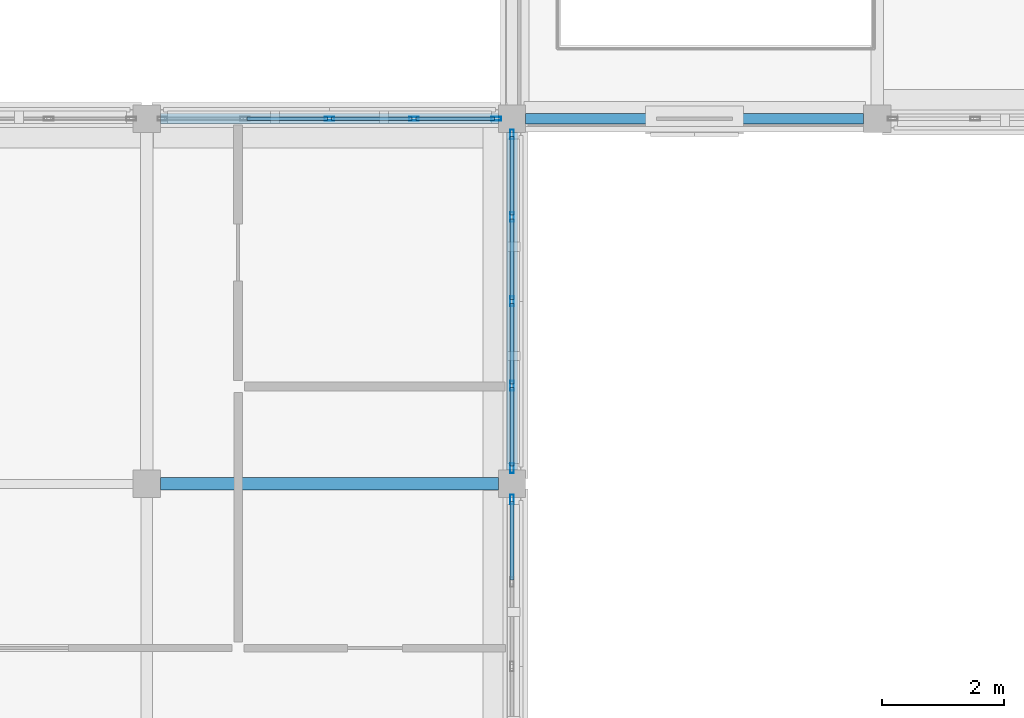
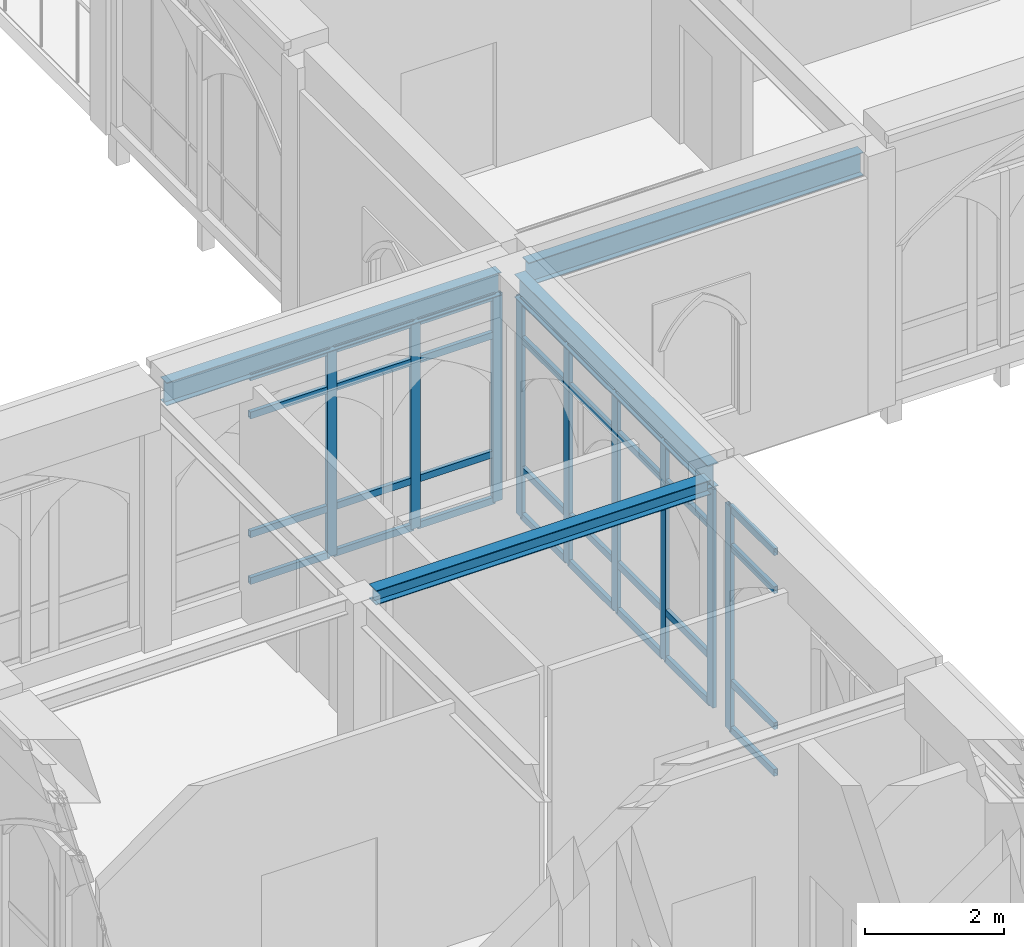
# One storey, part 9 of 59: 41 members, 4 beams, 3 elements without a shape of their own.
"""IFC4 building model written with IfcOpenShell, lengths in metres."""

from ifc_helpers import new_model, si_unit, direction, frame, origin, origin_2d, place, context, subcontext, project, spatial, hollow_rectangle, i_section, extrude, material, layer, layer_set, material_profile, profile_set, type_object, element, aggregate, save


model = new_model("IFC4")

# Units and contexts
model_context = context("Model", 3, precision=1e-05, world=origin(), true_north=direction((0.0, 1.0)))
body_context = subcontext(model_context, "Body", "Model", "MODEL_VIEW")
ifc_project = project(units=[si_unit("LENGTHUNIT", "METRE"), si_unit("AREAUNIT", "SQUARE_METRE"), si_unit("VOLUMEUNIT", "CUBIC_METRE"), si_unit("PLANEANGLEUNIT", "RADIAN"), si_unit("MASSUNIT", "GRAM", prefix="KILO")], contexts=[model_context])

# Site, building, storey
site_placement = place(None, origin())
site = spatial("IfcSite", under=ifc_project, at=site_placement, CompositionType="ELEMENT")
building_placement = place(site_placement, origin())
building = spatial("IfcBuilding", under=site, at=building_placement, Name="Cumevento Cable Car Station", CompositionType="ELEMENT")
storey_placement = place(building_placement, frame((0.0, 0.0, 18.0)))
storey = spatial("IfcBuildingStorey", under=building, at=storey_placement, Name="L05", CompositionType="ELEMENT", Elevation=18.0)

# Curtain wall, members
ifc_material_1 = material(Name="Anodised Bronze Aluminium AW-6063-T6", Category="aluminium")
ifc_layer_1 = layer(ifc_material_1, 0.196044921875)
ifc_layer_set_1 = layer_set([ifc_layer_1], Name="Anodised Bronze Aluminium AW-6063-T6")
curtain_wall_type_1 = type_object("IfcCurtainWallType", Name="Lancet Curtain Wall CW-07 1290", PredefinedType="NOTDEFINED", material=ifc_layer_set_1)
curtain_wall_1_placement = place(storey_placement, origin())
curtain_wall_1 = element("IfcCurtainWall", 1, at=curtain_wall_1_placement, inside=storey, type_object=curtain_wall_type_1, Name="Lancet Curtain Wall CW-07 L05 #198", PredefinedType="NOTDEFINED")
ifc_material_2 = material(Name="Anodised Bronze Aluminium AW-6063-T6", Category="aluminium")
ifc_material_profile_1 = material_profile(ifc_material_2, hollow_rectangle(XDim=0.06494140625, YDim=0.159912109375, WallThickness=0.00390625, at=origin_2d()), Name="ALUM65x160x4")
ifc_profile_set_1 = profile_set([ifc_material_profile_1], Name="Anodised Bronze Aluminium AW-6063-T6")
member_type_1 = type_object("IfcMemberType", Name="Curtain Mullion CWM-01 ALUM65x160x4", PredefinedType="MULLION", material=ifc_profile_set_1)
member_1_placement = place(storey_placement, frame((19.0, 45.0, 0.4599609375), z_axis=(0.0, 0.0, 1.0), x_axis=(0.0, 1.0, 0.0)))
member_1 = element("IfcMember", 2, at=member_1_placement, type_object=member_type_1, Name="CW-07 mullion 3", PredefinedType="MULLION", context=body_context, shape_type="SweptSolid", body=[
    extrude(hollow_rectangle(XDim=0.06494140625, YDim=0.159912109375, WallThickness=0.00390625, at=origin_2d()), origin(), (0.0, 0.0, 1.0), 3.633056640625),
])
member_2_placement = place(storey_placement, frame((20.387451171875, 45.0, 0.4599609375), z_axis=(0.0, 0.0, 1.0), x_axis=(0.0, 1.0, 0.0)))
member_2 = element("IfcMember", 3, at=member_2_placement, type_object=member_type_1, Name="CW-07 mullion 4", PredefinedType="MULLION", context=body_context, shape_type="SweptSolid", body=[
    extrude(hollow_rectangle(XDim=0.06494140625, YDim=0.159912109375, WallThickness=0.00390625, at=origin_2d()), origin(), (0.0, 0.0, 1.0), 3.633056640625),
])
member_3_placement = place(storey_placement, frame((21.742431640625, 45.0, 0.4599609375), z_axis=(0.0, 0.0, 1.0), x_axis=(0.0, 1.0, 0.0)))
member_3 = element("IfcMember", 4, at=member_3_placement, type_object=member_type_1, Name="CW-07 mullion 5", PredefinedType="MULLION", context=body_context, shape_type="SweptSolid", body=[
    extrude(hollow_rectangle(XDim=0.06494140625, YDim=0.159912109375, WallThickness=0.00390625, at=origin_2d()), origin(), (0.0, 0.0, 1.0), 3.633056640625),
])

# Curtain wall, member
ifc_material_3 = material(Name="Anodised Bronze Aluminium AW-6063-T6", Category="aluminium")
ifc_layer_2 = layer(ifc_material_3, 0.2080078125)
ifc_layer_set_2 = layer_set([ifc_layer_2], Name="Anodised Bronze Aluminium AW-6063-T6")
curtain_wall_type_2 = type_object("IfcCurtainWallType", Name="Lancet Curtain Wall CW-09 1370", PredefinedType="NOTDEFINED", material=ifc_layer_set_2)
curtain_wall_2_placement = place(storey_placement, origin())
curtain_wall_2 = element("IfcCurtainWall", 5, at=curtain_wall_2_placement, inside=storey, type_object=curtain_wall_type_2, Name="Lancet Curtain Wall CW-09 L05 #200", PredefinedType="NOTDEFINED")
member_4_placement = place(storey_placement, frame((22.0, 38.742431640625, 0.159912109375), z_axis=(0.0, 0.0, 1.0), x_axis=(1.0, 0.0, 0.0)))
member_4 = element("IfcMember", 6, at=member_4_placement, type_object=member_type_1, Name="CW-09 mullion 1", PredefinedType="MULLION", context=body_context, shape_type="SweptSolid", body=[
    extrude(hollow_rectangle(XDim=0.06494140625, YDim=0.159912109375, WallThickness=0.00390625, at=origin_2d()), origin(), (0.0, 0.0, 1.0), 3.93310546875),
])

# Curtain wall, members
ifc_material_4 = material(Name="Anodised Bronze Aluminium AW-6063-T6", Category="aluminium")
ifc_layer_3 = layer(ifc_material_4, 0.219970703125)
ifc_layer_set_3 = layer_set([ifc_layer_3], Name="Anodised Bronze Aluminium AW-6063-T6")
curtain_wall_type_3 = type_object("IfcCurtainWallType", Name="Lancet Curtain Wall CW-11 1450", PredefinedType="NOTDEFINED", material=ifc_layer_set_3)
curtain_wall_3_placement = place(storey_placement, origin())
curtain_wall_3 = element("IfcCurtainWall", 7, at=curtain_wall_3_placement, inside=storey, type_object=curtain_wall_type_3, Name="Lancet Curtain Wall CW-11 L05 #202", PredefinedType="NOTDEFINED")
member_5_placement = place(storey_placement, frame((22.0, 44.742431640625, 0.260009765625), z_axis=(0.0, 0.0, 1.0), x_axis=(1.0, 0.0, 0.0)))
member_5 = element("IfcMember", 8, at=member_5_placement, type_object=member_type_1, Name="CW-11 mullion 1", PredefinedType="MULLION", context=body_context, shape_type="SweptSolid", body=[
    extrude(hollow_rectangle(XDim=0.06494140625, YDim=0.159912109375, WallThickness=0.00390625, at=origin_2d()), origin(), (0.0, 0.0, 1.0), 3.8330078125),
])
member_6_placement = place(storey_placement, frame((22.0, 43.387451171875, 0.260009765625), z_axis=(0.0, 0.0, 1.0), x_axis=(1.0, 0.0, 0.0)))
member_6 = element("IfcMember", 9, at=member_6_placement, type_object=member_type_1, Name="CW-11 mullion 2", PredefinedType="MULLION", context=body_context, shape_type="SweptSolid", body=[
    extrude(hollow_rectangle(XDim=0.06494140625, YDim=0.159912109375, WallThickness=0.00390625, at=origin_2d()), origin(), (0.0, 0.0, 1.0), 3.8330078125),
])
member_7_placement = place(storey_placement, frame((22.0, 42.0, 0.260009765625), z_axis=(0.0, 0.0, 1.0), x_axis=(1.0, 0.0, 0.0)))
member_7 = element("IfcMember", 10, at=member_7_placement, type_object=member_type_1, Name="CW-11 mullion 3", PredefinedType="MULLION", context=body_context, shape_type="SweptSolid", body=[
    extrude(hollow_rectangle(XDim=0.06494140625, YDim=0.159912109375, WallThickness=0.00390625, at=origin_2d()), origin(), (0.0, 0.0, 1.0), 3.8330078125),
])
member_8_placement = place(storey_placement, frame((22.0, 40.612548828125, 0.260009765625), z_axis=(0.0, 0.0, 1.0), x_axis=(1.0, 0.0, 0.0)))
member_8 = element("IfcMember", 11, at=member_8_placement, type_object=member_type_1, Name="CW-11 mullion 4", PredefinedType="MULLION", context=body_context, shape_type="SweptSolid", body=[
    extrude(hollow_rectangle(XDim=0.06494140625, YDim=0.159912109375, WallThickness=0.00390625, at=origin_2d()), origin(), (0.0, 0.0, 1.0), 3.8330078125),
])
member_9_placement = place(storey_placement, frame((22.0, 39.257568359375, 0.260009765625), z_axis=(0.0, 0.0, 1.0), x_axis=(1.0, 0.0, 0.0)))
member_9 = element("IfcMember", 12, at=member_9_placement, type_object=member_type_1, Name="CW-11 mullion 5", PredefinedType="MULLION", context=body_context, shape_type="SweptSolid", body=[
    extrude(hollow_rectangle(XDim=0.06494140625, YDim=0.159912109375, WallThickness=0.00390625, at=origin_2d()), origin(), (0.0, 0.0, 1.0), 3.8330078125),
])

# Member
ifc_material_5 = material(Name="Anodised Bronze Aluminium AW-6063-T6", Category="aluminium")
ifc_material_profile_2 = material_profile(ifc_material_5, hollow_rectangle(XDim=0.06494140625, YDim=0.1201171875, WallThickness=0.00390625, at=origin_2d()), Name="ALUT65x120x4")
ifc_profile_set_2 = profile_set([ifc_material_profile_2], Name="Anodised Bronze Aluminium AW-6063-T6")
member_type_2 = type_object("IfcMemberType", Name="Curtain Transom CWT-01 ALUT65x120x4", PredefinedType="USERDEFINED", material=ifc_profile_set_2)
member_10_placement = place(storey_placement, frame((17.64501953125, 45.0, 0.492431640625), z_axis=(1.0, 0.0, 0.0), x_axis=(0.0, 1.0, 0.0)))
member_10 = element("IfcMember", 13, at=member_10_placement, type_object=member_type_2, Name="CW-07 transom 2.1", ObjectType="TRANSOM", PredefinedType="USERDEFINED", context=body_context, shape_type="SweptSolid", body=[
    extrude(hollow_rectangle(XDim=0.06494140625, YDim=0.1201171875, WallThickness=0.00390625, at=origin_2d()), origin(), (0.0, 0.0, 1.0), 1.322509765625),
])

member_11_placement = place(storey_placement, frame((17.64501953125, 45.0, 1.31005859375), z_axis=(1.0, 0.0, 0.0), x_axis=(0.0, 1.0, 0.0)))
member_11 = element("IfcMember", 14, at=member_11_placement, type_object=member_type_2, Name="CW-07 transom 2.2", ObjectType="TRANSOM", PredefinedType="USERDEFINED", context=body_context, shape_type="SweptSolid", body=[
    extrude(hollow_rectangle(XDim=0.06494140625, YDim=0.1201171875, WallThickness=0.00390625, at=origin_2d()), origin(), (0.0, 0.0, 1.0), 1.322509765625),
])

member_12_placement = place(storey_placement, frame((17.64501953125, 45.0, 3.39306640625), z_axis=(1.0, 0.0, 0.0), x_axis=(0.0, 1.0, 0.0)))
member_12 = element("IfcMember", 15, at=member_12_placement, type_object=member_type_2, Name="CW-07 transom 2.3", ObjectType="TRANSOM", PredefinedType="USERDEFINED", context=body_context, shape_type="SweptSolid", body=[
    extrude(hollow_rectangle(XDim=0.06494140625, YDim=0.1201171875, WallThickness=0.00390625, at=origin_2d()), origin(), (0.0, 0.0, 1.0), 1.322509765625),
])

member_13_placement = place(storey_placement, frame((17.64501953125, 45.0, 4.060546875), z_axis=(1.0, 0.0, 0.0), x_axis=(0.0, 1.0, 0.0)))
member_13 = element("IfcMember", 16, at=member_13_placement, type_object=member_type_2, Name="CW-07 transom 2.4", ObjectType="TRANSOM", PredefinedType="USERDEFINED", context=body_context, shape_type="SweptSolid", body=[
    extrude(hollow_rectangle(XDim=0.06494140625, YDim=0.1201171875, WallThickness=0.00390625, at=origin_2d()), origin(), (0.0, 0.0, 1.0), 1.322509765625),
])

member_14_placement = place(storey_placement, frame((19.032470703125, 45.0, 0.492431640625), z_axis=(1.0, 0.0, 0.0), x_axis=(0.0, 1.0, 0.0)))
member_14 = element("IfcMember", 17, at=member_14_placement, type_object=member_type_2, Name="CW-07 transom 3.1", ObjectType="TRANSOM", PredefinedType="USERDEFINED", context=body_context, shape_type="SweptSolid", body=[
    extrude(hollow_rectangle(XDim=0.06494140625, YDim=0.1201171875, WallThickness=0.00390625, at=origin_2d()), origin(), (0.0, 0.0, 1.0), 1.322509765625),
])

member_15_placement = place(storey_placement, frame((19.032470703125, 45.0, 1.31005859375), z_axis=(1.0, 0.0, 0.0), x_axis=(0.0, 1.0, 0.0)))
member_15 = element("IfcMember", 18, at=member_15_placement, type_object=member_type_2, Name="CW-07 transom 3.2", ObjectType="TRANSOM", PredefinedType="USERDEFINED", context=body_context, shape_type="SweptSolid", body=[
    extrude(hollow_rectangle(XDim=0.06494140625, YDim=0.1201171875, WallThickness=0.00390625, at=origin_2d()), origin(), (0.0, 0.0, 1.0), 1.322509765625),
])

member_16_placement = place(storey_placement, frame((19.032470703125, 45.0, 3.39306640625), z_axis=(1.0, 0.0, 0.0), x_axis=(0.0, 1.0, 0.0)))
member_16 = element("IfcMember", 19, at=member_16_placement, type_object=member_type_2, Name="CW-07 transom 3.3", ObjectType="TRANSOM", PredefinedType="USERDEFINED", context=body_context, shape_type="SweptSolid", body=[
    extrude(hollow_rectangle(XDim=0.06494140625, YDim=0.1201171875, WallThickness=0.00390625, at=origin_2d()), origin(), (0.0, 0.0, 1.0), 1.322509765625),
])

member_17_placement = place(storey_placement, frame((19.032470703125, 45.0, 4.060546875), z_axis=(1.0, 0.0, 0.0), x_axis=(0.0, 1.0, 0.0)))
member_17 = element("IfcMember", 20, at=member_17_placement, type_object=member_type_2, Name="CW-07 transom 3.4", ObjectType="TRANSOM", PredefinedType="USERDEFINED", context=body_context, shape_type="SweptSolid", body=[
    extrude(hollow_rectangle(XDim=0.06494140625, YDim=0.1201171875, WallThickness=0.00390625, at=origin_2d()), origin(), (0.0, 0.0, 1.0), 1.322509765625),
])

member_18_placement = place(storey_placement, frame((20.419921875, 45.0, 0.492431640625), z_axis=(1.0, 0.0, 0.0), x_axis=(0.0, 1.0, 0.0)))
member_18 = element("IfcMember", 21, at=member_18_placement, type_object=member_type_2, Name="CW-07 transom 4.1", ObjectType="TRANSOM", PredefinedType="USERDEFINED", context=body_context, shape_type="SweptSolid", body=[
    extrude(hollow_rectangle(XDim=0.06494140625, YDim=0.1201171875, WallThickness=0.00390625, at=origin_2d()), origin(), (0.0, 0.0, 1.0), 1.2900390625),
])

member_19_placement = place(storey_placement, frame((20.419921875, 45.0, 1.31005859375), z_axis=(1.0, 0.0, 0.0), x_axis=(0.0, 1.0, 0.0)))
member_19 = element("IfcMember", 22, at=member_19_placement, type_object=member_type_2, Name="CW-07 transom 4.2", ObjectType="TRANSOM", PredefinedType="USERDEFINED", context=body_context, shape_type="SweptSolid", body=[
    extrude(hollow_rectangle(XDim=0.06494140625, YDim=0.1201171875, WallThickness=0.00390625, at=origin_2d()), origin(), (0.0, 0.0, 1.0), 1.2900390625),
])

member_20_placement = place(storey_placement, frame((20.419921875, 45.0, 3.39306640625), z_axis=(1.0, 0.0, 0.0), x_axis=(0.0, 1.0, 0.0)))
member_20 = element("IfcMember", 23, at=member_20_placement, type_object=member_type_2, Name="CW-07 transom 4.3", ObjectType="TRANSOM", PredefinedType="USERDEFINED", context=body_context, shape_type="SweptSolid", body=[
    extrude(hollow_rectangle(XDim=0.06494140625, YDim=0.1201171875, WallThickness=0.00390625, at=origin_2d()), origin(), (0.0, 0.0, 1.0), 1.2900390625),
])

member_21_placement = place(storey_placement, frame((20.419921875, 45.0, 4.060546875), z_axis=(1.0, 0.0, 0.0), x_axis=(0.0, 1.0, 0.0)))
member_21 = element("IfcMember", 24, at=member_21_placement, type_object=member_type_2, Name="CW-07 transom 4.4", ObjectType="TRANSOM", PredefinedType="USERDEFINED", context=body_context, shape_type="SweptSolid", body=[
    extrude(hollow_rectangle(XDim=0.06494140625, YDim=0.1201171875, WallThickness=0.00390625, at=origin_2d()), origin(), (0.0, 0.0, 1.0), 1.2900390625),
])

aggregate(curtain_wall_1, [member_1, member_2, member_3, member_10, member_11, member_12, member_13, member_14, member_15, member_16, member_17, member_18, member_19, member_20, member_21])

member_22_placement = place(storey_placement, frame((22.0, 38.7099609375, 0.1923828125), z_axis=(0.0, -1.0, 0.0), x_axis=(1.0, 0.0, 0.0)))
member_22 = element("IfcMember", 25, at=member_22_placement, type_object=member_type_2, Name="CW-09 transom 1.1", ObjectType="TRANSOM", PredefinedType="USERDEFINED", context=body_context, shape_type="SweptSolid", body=[
    extrude(hollow_rectangle(XDim=0.06494140625, YDim=0.1201171875, WallThickness=0.00390625, at=origin_2d()), origin(), (0.0, 0.0, 1.0), 1.2900390625),
])

member_23_placement = place(storey_placement, frame((22.0, 38.7099609375, 1.010009765625), z_axis=(0.0, -1.0, 0.0), x_axis=(1.0, 0.0, 0.0)))
member_23 = element("IfcMember", 26, at=member_23_placement, type_object=member_type_2, Name="CW-09 transom 1.2", ObjectType="TRANSOM", PredefinedType="USERDEFINED", context=body_context, shape_type="SweptSolid", body=[
    extrude(hollow_rectangle(XDim=0.06494140625, YDim=0.1201171875, WallThickness=0.00390625, at=origin_2d()), origin(), (0.0, 0.0, 1.0), 1.2900390625),
])

member_24_placement = place(storey_placement, frame((22.0, 38.7099609375, 3.39306640625), z_axis=(0.0, -1.0, 0.0), x_axis=(1.0, 0.0, 0.0)))
member_24 = element("IfcMember", 27, at=member_24_placement, type_object=member_type_2, Name="CW-09 transom 1.3", ObjectType="TRANSOM", PredefinedType="USERDEFINED", context=body_context, shape_type="SweptSolid", body=[
    extrude(hollow_rectangle(XDim=0.06494140625, YDim=0.1201171875, WallThickness=0.00390625, at=origin_2d()), origin(), (0.0, 0.0, 1.0), 1.2900390625),
])

member_25_placement = place(storey_placement, frame((22.0, 38.7099609375, 4.060546875), z_axis=(0.0, -1.0, 0.0), x_axis=(1.0, 0.0, 0.0)))
member_25 = element("IfcMember", 28, at=member_25_placement, type_object=member_type_2, Name="CW-09 transom 1.4", ObjectType="TRANSOM", PredefinedType="USERDEFINED", context=body_context, shape_type="SweptSolid", body=[
    extrude(hollow_rectangle(XDim=0.06494140625, YDim=0.1201171875, WallThickness=0.00390625, at=origin_2d()), origin(), (0.0, 0.0, 1.0), 1.2900390625),
])

aggregate(curtain_wall_2, [member_4, member_22, member_23, member_24, member_25])

member_26_placement = place(storey_placement, frame((22.0, 44.7099609375, 0.29248046875), z_axis=(0.0, -1.0, 0.0), x_axis=(1.0, 0.0, 0.0)))
member_26 = element("IfcMember", 29, at=member_26_placement, type_object=member_type_2, Name="CW-11 transom 1.1", ObjectType="TRANSOM", PredefinedType="USERDEFINED", context=body_context, shape_type="SweptSolid", body=[
    extrude(hollow_rectangle(XDim=0.06494140625, YDim=0.1201171875, WallThickness=0.00390625, at=origin_2d()), origin(), (0.0, 0.0, 1.0), 1.2900390625),
])

member_27_placement = place(storey_placement, frame((22.0, 44.7099609375, 1.110107421875), z_axis=(0.0, -1.0, 0.0), x_axis=(1.0, 0.0, 0.0)))
member_27 = element("IfcMember", 30, at=member_27_placement, type_object=member_type_2, Name="CW-11 transom 1.2", ObjectType="TRANSOM", PredefinedType="USERDEFINED", context=body_context, shape_type="SweptSolid", body=[
    extrude(hollow_rectangle(XDim=0.06494140625, YDim=0.1201171875, WallThickness=0.00390625, at=origin_2d()), origin(), (0.0, 0.0, 1.0), 1.2900390625),
])

member_28_placement = place(storey_placement, frame((22.0, 44.7099609375, 3.39306640625), z_axis=(0.0, -1.0, 0.0), x_axis=(1.0, 0.0, 0.0)))
member_28 = element("IfcMember", 31, at=member_28_placement, type_object=member_type_2, Name="CW-11 transom 1.3", ObjectType="TRANSOM", PredefinedType="USERDEFINED", context=body_context, shape_type="SweptSolid", body=[
    extrude(hollow_rectangle(XDim=0.06494140625, YDim=0.1201171875, WallThickness=0.00390625, at=origin_2d()), origin(), (0.0, 0.0, 1.0), 1.2900390625),
])

member_29_placement = place(storey_placement, frame((22.0, 44.7099609375, 4.060546875), z_axis=(0.0, -1.0, 0.0), x_axis=(1.0, 0.0, 0.0)))
member_29 = element("IfcMember", 32, at=member_29_placement, type_object=member_type_2, Name="CW-11 transom 1.4", ObjectType="TRANSOM", PredefinedType="USERDEFINED", context=body_context, shape_type="SweptSolid", body=[
    extrude(hollow_rectangle(XDim=0.06494140625, YDim=0.1201171875, WallThickness=0.00390625, at=origin_2d()), origin(), (0.0, 0.0, 1.0), 1.2900390625),
])

member_30_placement = place(storey_placement, frame((22.0, 43.35498046875, 0.29248046875), z_axis=(0.0, -1.0, 0.0), x_axis=(1.0, 0.0, 0.0)))
member_30 = element("IfcMember", 33, at=member_30_placement, type_object=member_type_2, Name="CW-11 transom 2.1", ObjectType="TRANSOM", PredefinedType="USERDEFINED", context=body_context, shape_type="SweptSolid", body=[
    extrude(hollow_rectangle(XDim=0.06494140625, YDim=0.1201171875, WallThickness=0.00390625, at=origin_2d()), origin(), (0.0, 0.0, 1.0), 1.322509765625),
])

member_31_placement = place(storey_placement, frame((22.0, 43.35498046875, 1.110107421875), z_axis=(0.0, -1.0, 0.0), x_axis=(1.0, 0.0, 0.0)))
member_31 = element("IfcMember", 34, at=member_31_placement, type_object=member_type_2, Name="CW-11 transom 2.2", ObjectType="TRANSOM", PredefinedType="USERDEFINED", context=body_context, shape_type="SweptSolid", body=[
    extrude(hollow_rectangle(XDim=0.06494140625, YDim=0.1201171875, WallThickness=0.00390625, at=origin_2d()), origin(), (0.0, 0.0, 1.0), 1.322509765625),
])

member_32_placement = place(storey_placement, frame((22.0, 43.35498046875, 3.39306640625), z_axis=(0.0, -1.0, 0.0), x_axis=(1.0, 0.0, 0.0)))
member_32 = element("IfcMember", 35, at=member_32_placement, type_object=member_type_2, Name="CW-11 transom 2.3", ObjectType="TRANSOM", PredefinedType="USERDEFINED", context=body_context, shape_type="SweptSolid", body=[
    extrude(hollow_rectangle(XDim=0.06494140625, YDim=0.1201171875, WallThickness=0.00390625, at=origin_2d()), origin(), (0.0, 0.0, 1.0), 1.322509765625),
])

member_33_placement = place(storey_placement, frame((22.0, 43.35498046875, 4.060546875), z_axis=(0.0, -1.0, 0.0), x_axis=(1.0, 0.0, 0.0)))
member_33 = element("IfcMember", 36, at=member_33_placement, type_object=member_type_2, Name="CW-11 transom 2.4", ObjectType="TRANSOM", PredefinedType="USERDEFINED", context=body_context, shape_type="SweptSolid", body=[
    extrude(hollow_rectangle(XDim=0.06494140625, YDim=0.1201171875, WallThickness=0.00390625, at=origin_2d()), origin(), (0.0, 0.0, 1.0), 1.322509765625),
])

member_34_placement = place(storey_placement, frame((22.0, 41.967529296875, 0.29248046875), z_axis=(0.0, -1.0, 0.0), x_axis=(1.0, 0.0, 0.0)))
member_34 = element("IfcMember", 37, at=member_34_placement, type_object=member_type_2, Name="CW-11 transom 3.1", ObjectType="TRANSOM", PredefinedType="USERDEFINED", context=body_context, shape_type="SweptSolid", body=[
    extrude(hollow_rectangle(XDim=0.06494140625, YDim=0.1201171875, WallThickness=0.00390625, at=origin_2d()), origin(), (0.0, 0.0, 1.0), 1.322509765625),
])

member_35_placement = place(storey_placement, frame((22.0, 41.967529296875, 1.110107421875), z_axis=(0.0, -1.0, 0.0), x_axis=(1.0, 0.0, 0.0)))
member_35 = element("IfcMember", 38, at=member_35_placement, type_object=member_type_2, Name="CW-11 transom 3.2", ObjectType="TRANSOM", PredefinedType="USERDEFINED", context=body_context, shape_type="SweptSolid", body=[
    extrude(hollow_rectangle(XDim=0.06494140625, YDim=0.1201171875, WallThickness=0.00390625, at=origin_2d()), origin(), (0.0, 0.0, 1.0), 1.322509765625),
])

member_36_placement = place(storey_placement, frame((22.0, 41.967529296875, 3.39306640625), z_axis=(0.0, -1.0, 0.0), x_axis=(1.0, 0.0, 0.0)))
member_36 = element("IfcMember", 39, at=member_36_placement, type_object=member_type_2, Name="CW-11 transom 3.3", ObjectType="TRANSOM", PredefinedType="USERDEFINED", context=body_context, shape_type="SweptSolid", body=[
    extrude(hollow_rectangle(XDim=0.06494140625, YDim=0.1201171875, WallThickness=0.00390625, at=origin_2d()), origin(), (0.0, 0.0, 1.0), 1.322509765625),
])

member_37_placement = place(storey_placement, frame((22.0, 41.967529296875, 4.060546875), z_axis=(0.0, -1.0, 0.0), x_axis=(1.0, 0.0, 0.0)))
member_37 = element("IfcMember", 40, at=member_37_placement, type_object=member_type_2, Name="CW-11 transom 3.4", ObjectType="TRANSOM", PredefinedType="USERDEFINED", context=body_context, shape_type="SweptSolid", body=[
    extrude(hollow_rectangle(XDim=0.06494140625, YDim=0.1201171875, WallThickness=0.00390625, at=origin_2d()), origin(), (0.0, 0.0, 1.0), 1.322509765625),
])

member_38_placement = place(storey_placement, frame((22.0, 40.580078125, 0.29248046875), z_axis=(0.0, -1.0, 0.0), x_axis=(1.0, 0.0, 0.0)))
member_38 = element("IfcMember", 41, at=member_38_placement, type_object=member_type_2, Name="CW-11 transom 4.1", ObjectType="TRANSOM", PredefinedType="USERDEFINED", context=body_context, shape_type="SweptSolid", body=[
    extrude(hollow_rectangle(XDim=0.06494140625, YDim=0.1201171875, WallThickness=0.00390625, at=origin_2d()), origin(), (0.0, 0.0, 1.0), 1.2900390625),
])

member_39_placement = place(storey_placement, frame((22.0, 40.580078125, 1.110107421875), z_axis=(0.0, -1.0, 0.0), x_axis=(1.0, 0.0, 0.0)))
member_39 = element("IfcMember", 42, at=member_39_placement, type_object=member_type_2, Name="CW-11 transom 4.2", ObjectType="TRANSOM", PredefinedType="USERDEFINED", context=body_context, shape_type="SweptSolid", body=[
    extrude(hollow_rectangle(XDim=0.06494140625, YDim=0.1201171875, WallThickness=0.00390625, at=origin_2d()), origin(), (0.0, 0.0, 1.0), 1.2900390625),
])

member_40_placement = place(storey_placement, frame((22.0, 40.580078125, 3.39306640625), z_axis=(0.0, -1.0, 0.0), x_axis=(1.0, 0.0, 0.0)))
member_40 = element("IfcMember", 43, at=member_40_placement, type_object=member_type_2, Name="CW-11 transom 4.3", ObjectType="TRANSOM", PredefinedType="USERDEFINED", context=body_context, shape_type="SweptSolid", body=[
    extrude(hollow_rectangle(XDim=0.06494140625, YDim=0.1201171875, WallThickness=0.00390625, at=origin_2d()), origin(), (0.0, 0.0, 1.0), 1.2900390625),
])

member_41_placement = place(storey_placement, frame((22.0, 40.580078125, 4.060546875), z_axis=(0.0, -1.0, 0.0), x_axis=(1.0, 0.0, 0.0)))
member_41 = element("IfcMember", 44, at=member_41_placement, type_object=member_type_2, Name="CW-11 transom 4.4", ObjectType="TRANSOM", PredefinedType="USERDEFINED", context=body_context, shape_type="SweptSolid", body=[
    extrude(hollow_rectangle(XDim=0.06494140625, YDim=0.1201171875, WallThickness=0.00390625, at=origin_2d()), origin(), (0.0, 0.0, 1.0), 1.2900390625),
])

aggregate(curtain_wall_3, [member_5, member_6, member_7, member_8, member_9, member_26, member_27, member_28, member_29, member_30, member_31, member_32, member_33, member_34, member_35, member_36, member_37, member_38, member_39, member_40, member_41])

# Beams
ifc_material_6 = material(Name="Steel ASTM A572 Grade 50", Category="steel")
ifc_material_profile_3 = material_profile(ifc_material_6, i_section(OverallWidth=0.202880859375, OverallDepth=0.251953125, WebThickness=0.008056640625, FlangeThickness=0.013427734375, at=origin_2d()), Name="W250x58.0")
ifc_profile_set_3 = profile_set([ifc_material_profile_3], Name="Steel ASTM A572 Grade 50")
beam_type_1 = type_object("IfcBeamType", Name="Structural Beam BM-08 W250x58.0", PredefinedType="BEAM", material=ifc_profile_set_3)
beam_placement = place(storey_placement, frame((16.22509765625, 39.0, 4.3740234375), z_axis=(1.0, 0.0, 0.0), x_axis=(0.0, 1.0, 0.0)))
element("IfcBeam", 45, at=beam_placement, inside=storey, type_object=beam_type_1, Name="Beam BM-08 L05 #1581", PredefinedType="BEAM", context=body_context, shape_type="SweptSolid", body=[
    extrude(i_section(OverallWidth=0.202880859375, OverallDepth=0.251953125, WebThickness=0.008056640625, FlangeThickness=0.013427734375, at=origin_2d()), origin(), (0.0, 0.0, 1.0), 5.5498046875),
])
ifc_material_7 = material(Name="Steel ASTM A572 Grade 50", Category="steel")
ifc_material_profile_4 = material_profile(ifc_material_7, i_section(OverallWidth=0.177978515625, OverallDepth=0.406982421875, WebThickness=0.0078125, FlangeThickness=0.0126953125, at=origin_2d()), Name="W410x60.0")
ifc_profile_set_4 = profile_set([ifc_material_profile_4], Name="Steel ASTM A572 Grade 50")
beam_type_2 = type_object("IfcBeamType", Name="Structural Spandrel SP-01 W410x60.0", PredefinedType="SPANDREL", material=ifc_profile_set_4)
for number, where, z_axis, x_axis, name in (
    (46, (16.22509765625, 45.0, 4.29638671875), (1.0, 0.0, 0.0), (0.0, 1.0, 0.0), "Beam SP-01 L05 #1583"),
    (47, (22.0, 39.22509765625, 4.29638671875), (0.0, 1.0, 0.0), (-1.0, 0.0, 0.0), "Beam SP-01 L05 #1589"),
    (48, (22.22509765625, 45.0, 4.29638671875), (1.0, 0.0, 0.0), (0.0, 1.0, 0.0), "Beam SP-01 L05 #1590"),
):
    element("IfcBeam", number, at=place(storey_placement, frame(where, z_axis=z_axis, x_axis=x_axis)), inside=storey, type_object=beam_type_2, Name=name, PredefinedType="SPANDREL", context=body_context, shape_type="SweptSolid", body=[
        extrude(i_section(OverallWidth=0.177978515625, OverallDepth=0.406982421875, WebThickness=0.0078125, FlangeThickness=0.0126953125, at=origin_2d()), origin(), (0.0, 0.0, 1.0), 5.5498046875),
    ])

save(model, "model.ifc")
